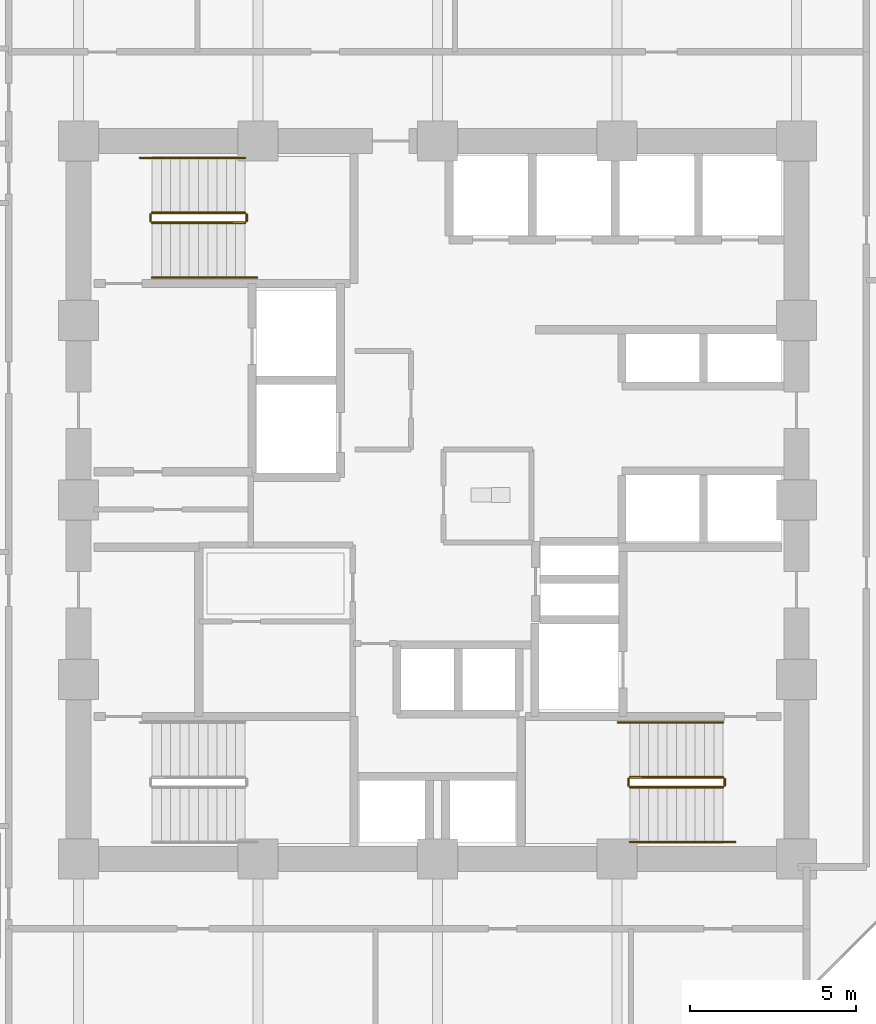
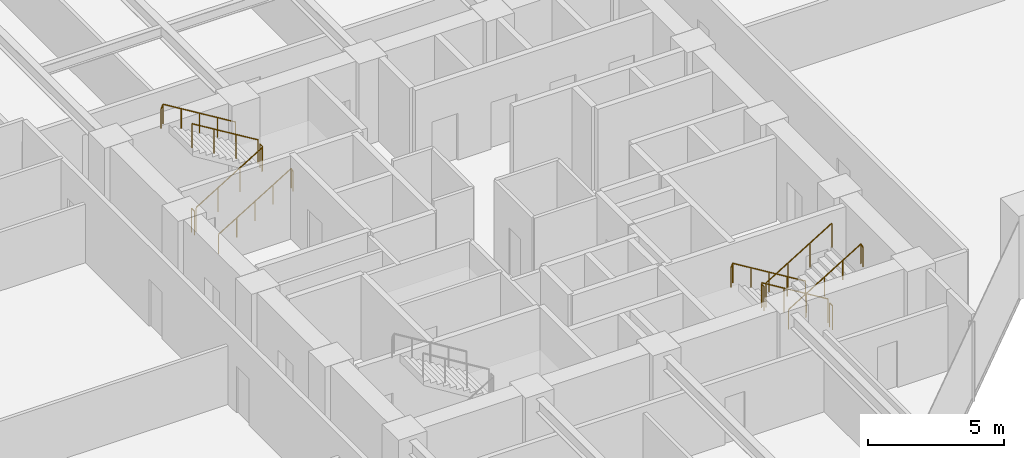
# One storey, part 24 of 25: 12 railings.
"""IFC4 building model written with IfcOpenShell, lengths in metres."""

from ifc_helpers import new_model, si_unit, direction, frame, origin, origin_2d, place, context, subcontext, project, spatial, circle, extrude, material, type_object, element, save


model = new_model("IFC4")

# Units and contexts
model_context = context("Model", 3, precision=1e-05, world=origin(), true_north=direction((0.0, 1.0)))
body_context = subcontext(model_context, "Body", "Model", "MODEL_VIEW")
ifc_project = project(units=[si_unit("LENGTHUNIT", "METRE"), si_unit("AREAUNIT", "SQUARE_METRE"), si_unit("VOLUMEUNIT", "CUBIC_METRE"), si_unit("PLANEANGLEUNIT", "RADIAN"), si_unit("MASSUNIT", "GRAM", prefix="KILO")], contexts=[model_context])

# Site, building, storey
site_placement = place(None, origin())
site = spatial("IfcSite", under=ifc_project, at=site_placement, CompositionType="ELEMENT")
building_placement = place(site_placement, origin())
building = spatial("IfcBuilding", under=site, at=building_placement, Name="Surkhivell Harbour Commons", CompositionType="ELEMENT")
storey_placement = place(building_placement, frame((0.0, 0.0, 48.75)))
storey = spatial("IfcBuildingStorey", under=building, at=storey_placement, Name="L12", CompositionType="ELEMENT", Elevation=48.75)

# Railings
ifc_material_1 = material(Name="Galvanised and painted steel S355 guard rail", Category="steel")
railing_type_1 = type_object("IfcRailingType", Name="RAL-ST-GRD1100", PredefinedType="GUARDRAIL", material=ifc_material_1)
railing_1_placement = place(storey_placement, frame((-8.590087890625, 8.340087890625, 0.17041015625)))
element("IfcRailing", 1, at=railing_1_placement, inside=storey, type_object=railing_type_1, Name="L12 ST1 stair guard 1", PredefinedType="GUARDRAIL", context=body_context, shape_type="SweptSolid", body=[
    extrude(circle(Radius=0.02392578125, at=origin_2d()), frame((0.0, 0.0, 1.076171875), z_axis=(0.854169791009, 0.0, 0.51999420009), x_axis=(0.0, 1.0, 0.0)), (0.0, 0.0, 1.0), 3.278076171875),
    extrude(circle(Radius=0.02099609375, at=origin_2d()), origin(), (0.0, 0.0, 1.0), 1.052001953125),
    extrude(circle(Radius=0.02099609375, at=origin_2d()), frame((0.933349609375, 0.0, 0.568115234375)), (0.0, 0.0, 1.0), 1.052001953125),
    extrude(circle(Radius=0.02099609375, at=origin_2d()), frame((1.86669921875, 0.0, 1.136474609375)), (0.0, 0.0, 1.0), 1.052001953125),
    extrude(circle(Radius=0.02099609375, at=origin_2d()), frame((2.800048828125, 0.0, 1.70458984375)), (0.0, 0.0, 1.0), 1.052001953125),
])
railing_2_placement = place(storey_placement, frame((-5.739990234375, 8.389892578125, 1.875)))
element("IfcRailing", 2, at=railing_2_placement, inside=storey, type_object=railing_type_1, Name="L12 ST1 stair guard 2", PredefinedType="GUARDRAIL", context=body_context, shape_type="SweptSolid", body=[
    extrude(circle(Radius=0.02392578125, at=origin_2d()), frame((0.0, 0.0, 1.076171875), z_axis=(0.0, 1.0, 0.0), x_axis=(-1.0, 0.0, 0.0)), (0.0, 0.0, 1.0), 0.2001953125),
    extrude(circle(Radius=0.02099609375, at=origin_2d()), origin(), (0.0, 0.0, 1.0), 1.052001953125),
    extrude(circle(Radius=0.02099609375, at=origin_2d()), frame((0.0, 0.2001953125, 0.0)), (0.0, 0.0, 1.0), 1.052001953125),
])
railing_3_placement = place(storey_placement, frame((-5.7900390625, 8.639892578125, 2.04541015625)))
element("IfcRailing", 3, at=railing_3_placement, inside=storey, type_object=railing_type_1, Name="L12 ST1 stair guard 3", PredefinedType="GUARDRAIL", context=body_context, shape_type="SweptSolid", body=[
    extrude(circle(Radius=0.02392578125, at=origin_2d()), frame((0.0, 0.0, 1.076171875), z_axis=(-0.854169791009, 0.0, 0.51999420009), x_axis=(0.0, -1.0, 0.0)), (0.0, 0.0, 1.0), 3.278076171875),
    extrude(circle(Radius=0.02099609375, at=origin_2d()), origin(), (0.0, 0.0, 1.0), 1.052001953125),
    extrude(circle(Radius=0.02099609375, at=origin_2d()), frame((-0.933349609375, 0.0, 0.568115234375)), (0.0, 0.0, 1.0), 1.052001953125),
    extrude(circle(Radius=0.02099609375, at=origin_2d()), frame((-1.86669921875, 0.0, 1.136474609375)), (0.0, 0.0, 1.0), 1.052001953125),
    extrude(circle(Radius=0.02099609375, at=origin_2d()), frame((-2.800048828125, 0.0, 1.70458984375)), (0.0, 0.0, 1.0), 1.052001953125),
])
railing_4_placement = place(storey_placement, frame((-8.639892578125, 8.389892578125, 0.0)))
element("IfcRailing", 4, at=railing_4_placement, inside=storey, type_object=railing_type_1, Name="L12 ST1 stair guard 4", PredefinedType="GUARDRAIL", context=body_context, shape_type="SweptSolid", body=[
    extrude(circle(Radius=0.02392578125, at=origin_2d()), frame((0.0, 0.0, 1.076171875), z_axis=(0.0, 1.0, 0.0), x_axis=(-1.0, 0.0, 0.0)), (0.0, 0.0, 1.0), 0.2001953125),
    extrude(circle(Radius=0.02099609375, at=origin_2d()), origin(), (0.0, 0.0, 1.0), 1.052001953125),
    extrude(circle(Radius=0.02099609375, at=origin_2d()), frame((0.0, 0.2001953125, 0.0)), (0.0, 0.0, 1.0), 1.052001953125),
])
railing_5_placement = place(storey_placement, frame((8.590087890625, -8.340087890625, 0.17041015625)))
element("IfcRailing", 5, at=railing_5_placement, inside=storey, type_object=railing_type_1, Name="L12 ST2 stair guard 1", PredefinedType="GUARDRAIL", context=body_context, shape_type="SweptSolid", body=[
    extrude(circle(Radius=0.02392578125, at=origin_2d()), frame((0.0, 0.0, 1.076171875), z_axis=(-0.854169791009, 0.0, 0.51999420009), x_axis=(0.0, -1.0, 0.0)), (0.0, 0.0, 1.0), 3.278076171875),
    extrude(circle(Radius=0.02099609375, at=origin_2d()), origin(), (0.0, 0.0, 1.0), 1.052001953125),
    extrude(circle(Radius=0.02099609375, at=origin_2d()), frame((-0.933349609375, 0.0, 0.568115234375)), (0.0, 0.0, 1.0), 1.052001953125),
    extrude(circle(Radius=0.02099609375, at=origin_2d()), frame((-1.86669921875, 0.0, 1.136474609375)), (0.0, 0.0, 1.0), 1.052001953125),
    extrude(circle(Radius=0.02099609375, at=origin_2d()), frame((-2.800048828125, 0.0, 1.70458984375)), (0.0, 0.0, 1.0), 1.052001953125),
])
railing_6_placement = place(storey_placement, frame((5.739990234375, -8.389892578125, 1.875)))
element("IfcRailing", 6, at=railing_6_placement, inside=storey, type_object=railing_type_1, Name="L12 ST2 stair guard 2", PredefinedType="GUARDRAIL", context=body_context, shape_type="SweptSolid", body=[
    extrude(circle(Radius=0.02392578125, at=origin_2d()), frame((0.0, 0.0, 1.076171875), z_axis=(0.0, -1.0, 0.0), x_axis=(1.0, 0.0, 0.0)), (0.0, 0.0, 1.0), 0.2001953125),
    extrude(circle(Radius=0.02099609375, at=origin_2d()), origin(), (0.0, 0.0, 1.0), 1.052001953125),
    extrude(circle(Radius=0.02099609375, at=origin_2d()), frame((0.0, -0.2001953125, 0.0)), (0.0, 0.0, 1.0), 1.052001953125),
])
railing_7_placement = place(storey_placement, frame((5.7900390625, -8.639892578125, 2.04541015625)))
element("IfcRailing", 7, at=railing_7_placement, inside=storey, type_object=railing_type_1, Name="L12 ST2 stair guard 3", PredefinedType="GUARDRAIL", context=body_context, shape_type="SweptSolid", body=[
    extrude(circle(Radius=0.02392578125, at=origin_2d()), frame((0.0, 0.0, 1.076171875), z_axis=(0.854169791009, 0.0, 0.51999420009), x_axis=(0.0, 1.0, 0.0)), (0.0, 0.0, 1.0), 3.278076171875),
    extrude(circle(Radius=0.02099609375, at=origin_2d()), origin(), (0.0, 0.0, 1.0), 1.052001953125),
    extrude(circle(Radius=0.02099609375, at=origin_2d()), frame((0.933349609375, 0.0, 0.568115234375)), (0.0, 0.0, 1.0), 1.052001953125),
    extrude(circle(Radius=0.02099609375, at=origin_2d()), frame((1.86669921875, 0.0, 1.136474609375)), (0.0, 0.0, 1.0), 1.052001953125),
    extrude(circle(Radius=0.02099609375, at=origin_2d()), frame((2.800048828125, 0.0, 1.70458984375)), (0.0, 0.0, 1.0), 1.052001953125),
])
railing_8_placement = place(storey_placement, frame((8.639892578125, -8.389892578125, 0.0)))
element("IfcRailing", 8, at=railing_8_placement, inside=storey, type_object=railing_type_1, Name="L12 ST2 stair guard 4", PredefinedType="GUARDRAIL", context=body_context, shape_type="SweptSolid", body=[
    extrude(circle(Radius=0.02392578125, at=origin_2d()), frame((0.0, 0.0, 1.076171875), z_axis=(0.0, -1.0, 0.0), x_axis=(1.0, 0.0, 0.0)), (0.0, 0.0, 1.0), 0.2001953125),
    extrude(circle(Radius=0.02099609375, at=origin_2d()), origin(), (0.0, 0.0, 1.0), 1.052001953125),
    extrude(circle(Radius=0.02099609375, at=origin_2d()), frame((0.0, -0.2001953125, 0.0)), (0.0, 0.0, 1.0), 1.052001953125),
])
ifc_material_2 = material(Name="Brushed stainless steel S355 handrail", Category="steel")
railing_type_2 = type_object("IfcRailingType", Name="RAL-ST-HND900", PredefinedType="HANDRAIL", material=ifc_material_2)
railing_9_placement = place(storey_placement, frame((-8.590087890625, 6.68994140625, 0.17041015625)))
element("IfcRailing", 9, at=railing_9_placement, inside=storey, type_object=railing_type_2, Name="L12 ST1 stair handrail 1", PredefinedType="HANDRAIL", context=body_context, shape_type="SweptSolid", body=[
    extrude(circle(Radius=0.02392578125, at=origin_2d()), frame((0.0, 0.0, 0.8759765625), z_axis=(0.854177636135, 0.0, 0.519981313056), x_axis=(0.0, 1.0, 0.0)), (0.0, 0.0, 1.0), 3.60595703125),
    extrude(circle(Radius=0.02392578125, at=origin_2d()), frame((3.080078125, 0.0, 2.7509765625), z_axis=(0.425297416671, 0.0, -0.905053648892), x_axis=(0.0, 1.0, 0.0)), (0.0, 0.0, 1.0), 0.188232421875),
    extrude(circle(Radius=0.02099609375, at=origin_2d()), origin(), (0.0, 0.0, 1.0), 0.851806640625),
    extrude(circle(Radius=0.02099609375, at=origin_2d()), frame((0.77001953125, 0.0, 0.46875)), (0.0, 0.0, 1.0), 0.851806640625),
    extrude(circle(Radius=0.02099609375, at=origin_2d()), frame((1.5400390625, 0.0, 0.9375)), (0.0, 0.0, 1.0), 0.851806640625),
    extrude(circle(Radius=0.02099609375, at=origin_2d()), frame((2.31005859375, 0.0, 1.40625)), (0.0, 0.0, 1.0), 0.851806640625),
    extrude(circle(Radius=0.02099609375, at=origin_2d()), frame((3.080078125, 0.0, 1.875)), (0.0, 0.0, 1.0), 0.851806640625),
    extrude(circle(Radius=0.02099609375, at=origin_2d()), frame((3.16015625, 0.0, 1.70458984375)), (0.0, 0.0, 1.0), 0.851806640625),
])
railing_10_placement = place(storey_placement, frame((-5.7900390625, 10.2900390625, 2.04541015625)))
element("IfcRailing", 10, at=railing_10_placement, inside=storey, type_object=railing_type_2, Name="L12 ST1 stair handrail 2", PredefinedType="HANDRAIL", context=body_context, shape_type="SweptSolid", body=[
    extrude(circle(Radius=0.02392578125, at=origin_2d()), frame((0.0, 0.0, 0.8759765625), z_axis=(-0.854177636135, 0.0, 0.519981313056), x_axis=(0.0, -1.0, 0.0)), (0.0, 0.0, 1.0), 3.60595703125),
    extrude(circle(Radius=0.02392578125, at=origin_2d()), frame((-3.080078125, 0.0, 2.7509765625), z_axis=(-0.424234432967, 0.0, -0.905552398199), x_axis=(0.0, -1.0, 0.0)), (0.0, 0.0, 1.0), 0.188232421875),
    extrude(circle(Radius=0.02099609375, at=origin_2d()), origin(), (0.0, 0.0, 1.0), 0.851806640625),
    extrude(circle(Radius=0.02099609375, at=origin_2d()), frame((-0.77001953125, 0.0, 0.46875)), (0.0, 0.0, 1.0), 0.851806640625),
    extrude(circle(Radius=0.02099609375, at=origin_2d()), frame((-1.5400390625, 0.0, 0.9375)), (0.0, 0.0, 1.0), 0.851806640625),
    extrude(circle(Radius=0.02099609375, at=origin_2d()), frame((-2.31005859375, 0.0, 1.40625)), (0.0, 0.0, 1.0), 0.851806640625),
    extrude(circle(Radius=0.02099609375, at=origin_2d()), frame((-3.080078125, 0.0, 1.875)), (0.0, 0.0, 1.0), 0.851806640625),
    extrude(circle(Radius=0.02099609375, at=origin_2d()), frame((-3.159912109375, 0.0, 1.70458984375)), (0.0, 0.0, 1.0), 0.851806640625),
])
railing_11_placement = place(storey_placement, frame((8.590087890625, -6.68994140625, 0.17041015625)))
element("IfcRailing", 11, at=railing_11_placement, inside=storey, type_object=railing_type_2, Name="L12 ST2 stair handrail 1", PredefinedType="HANDRAIL", context=body_context, shape_type="SweptSolid", body=[
    extrude(circle(Radius=0.02392578125, at=origin_2d()), frame((0.0, 0.0, 0.8759765625), z_axis=(-0.854177636135, 0.0, 0.519981313056), x_axis=(0.0, -1.0, 0.0)), (0.0, 0.0, 1.0), 3.60595703125),
    extrude(circle(Radius=0.02392578125, at=origin_2d()), frame((-3.080078125, 0.0, 2.7509765625), z_axis=(-0.425297416671, 0.0, -0.905053648892), x_axis=(0.0, -1.0, 0.0)), (0.0, 0.0, 1.0), 0.188232421875),
    extrude(circle(Radius=0.02099609375, at=origin_2d()), origin(), (0.0, 0.0, 1.0), 0.851806640625),
    extrude(circle(Radius=0.02099609375, at=origin_2d()), frame((-0.77001953125, 0.0, 0.46875)), (0.0, 0.0, 1.0), 0.851806640625),
    extrude(circle(Radius=0.02099609375, at=origin_2d()), frame((-1.5400390625, 0.0, 0.9375)), (0.0, 0.0, 1.0), 0.851806640625),
    extrude(circle(Radius=0.02099609375, at=origin_2d()), frame((-2.31005859375, 0.0, 1.40625)), (0.0, 0.0, 1.0), 0.851806640625),
    extrude(circle(Radius=0.02099609375, at=origin_2d()), frame((-3.080078125, 0.0, 1.875)), (0.0, 0.0, 1.0), 0.851806640625),
    extrude(circle(Radius=0.02099609375, at=origin_2d()), frame((-3.16015625, 0.0, 1.70458984375)), (0.0, 0.0, 1.0), 0.851806640625),
])
railing_12_placement = place(storey_placement, frame((5.7900390625, -10.2900390625, 2.04541015625)))
element("IfcRailing", 12, at=railing_12_placement, inside=storey, type_object=railing_type_2, Name="L12 ST2 stair handrail 2", PredefinedType="HANDRAIL", context=body_context, shape_type="SweptSolid", body=[
    extrude(circle(Radius=0.02392578125, at=origin_2d()), frame((0.0, 0.0, 0.8759765625), z_axis=(0.854177636135, 0.0, 0.519981313056), x_axis=(0.0, 1.0, 0.0)), (0.0, 0.0, 1.0), 3.60595703125),
    extrude(circle(Radius=0.02392578125, at=origin_2d()), frame((3.080078125, 0.0, 2.7509765625), z_axis=(0.424234432967, 0.0, -0.905552398199), x_axis=(0.0, 1.0, 0.0)), (0.0, 0.0, 1.0), 0.188232421875),
    extrude(circle(Radius=0.02099609375, at=origin_2d()), origin(), (0.0, 0.0, 1.0), 0.851806640625),
    extrude(circle(Radius=0.02099609375, at=origin_2d()), frame((0.77001953125, 0.0, 0.46875)), (0.0, 0.0, 1.0), 0.851806640625),
    extrude(circle(Radius=0.02099609375, at=origin_2d()), frame((1.5400390625, 0.0, 0.9375)), (0.0, 0.0, 1.0), 0.851806640625),
    extrude(circle(Radius=0.02099609375, at=origin_2d()), frame((2.31005859375, 0.0, 1.40625)), (0.0, 0.0, 1.0), 0.851806640625),
    extrude(circle(Radius=0.02099609375, at=origin_2d()), frame((3.080078125, 0.0, 1.875)), (0.0, 0.0, 1.0), 0.851806640625),
    extrude(circle(Radius=0.02099609375, at=origin_2d()), frame((3.159912109375, 0.0, 1.70458984375)), (0.0, 0.0, 1.0), 0.851806640625),
])

save(model, "model.ifc")
